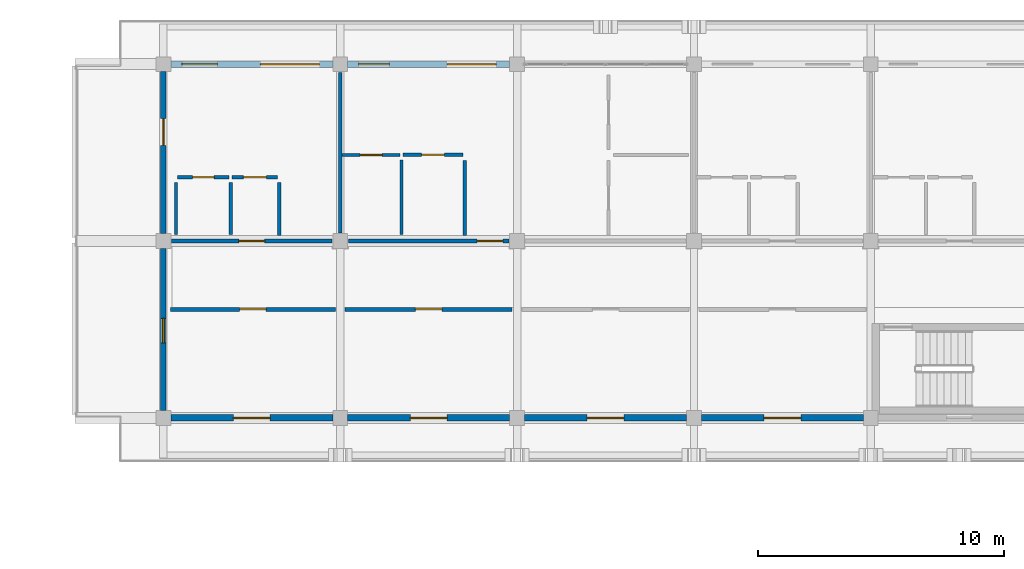
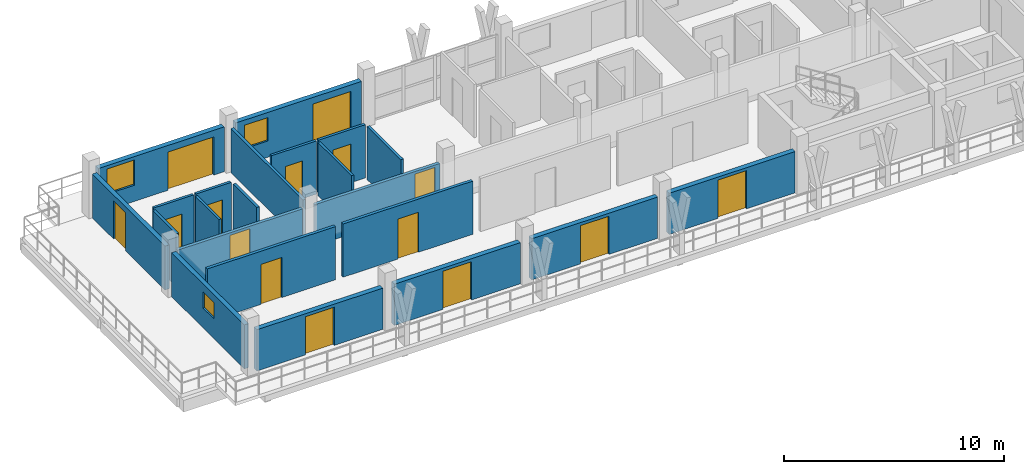
# One storey, part 38 of 65: 22 walls, 15 doors, 3 windows, 18 openings.
"""IFC4 building model written with IfcOpenShell, lengths in metres."""

import ifcopenshell
import ifcopenshell.guid

model = None  # the IFC model being written
_history = None  # IfcOwnerHistory: only IFC2X3 demands one
_inside = {}  # id of a spatial element -> (the spatial element, [elements in it])
_under = {}  # id of a project, library or spatial element -> (it, [spatial elements below it])
_declared = {}  # id of a project -> (the project, [libraries it declares])
_typed = {}  # id of a type object -> (the type object, [elements of that type])
_made_of = {}  # id of a material, layer set ... -> (it, [elements and type objects made of it])


def new_model(schema):
    """Start an empty IFC model of exactly this schema.

    Asked for "IFC4X3", IfcOpenShell would pick the latest addendum, in which some entities
    have other attributes; the version numbers below select the first issue.
    IFC2X3 requires an IfcOwnerHistory on every rooted entity: one is made here for all.
    """
    global model, _history
    if schema == "IFC4X3":
        model = ifcopenshell.file(schema_version=(4, 3, 0, 0))
    else:
        model = ifcopenshell.file(schema=schema)
    _inside.clear()
    _under.clear()
    _declared.clear()
    _typed.clear()
    _made_of.clear()
    _history = None
    if model.schema == "IFC2X3":
        org = make("IfcOrganization", Name="unknown")
        user = make(
            "IfcPersonAndOrganization",
            ThePerson=make("IfcPerson", FamilyName="unknown"),
            TheOrganization=org,
        )
        app = make(
            "IfcApplication",
            ApplicationDeveloper=org,
            Version="unknown",
            ApplicationFullName="unknown",
            ApplicationIdentifier="unknown",
        )
        _history = make(
            "IfcOwnerHistory",
            OwningUser=user,
            OwningApplication=app,
            ChangeAction="ADDED",
            CreationDate=0,
        )
    return model


def make(cls, **values):
    """One entity of the class cls with the attributes given. An attribute that is None is left unset."""
    return model.create_entity(
        cls, **{name: value for name, value in values.items() if value is not None}
    )


def rooted(cls, **values):
    """An entity with a GlobalId (a new one), such as an element, a storey or a relation."""
    return make(cls, GlobalId=ifcopenshell.guid.new(), OwnerHistory=_history, **values)


def si_unit(unit_type, name, prefix=None):
    """IfcSIUnit, for example si_unit("LENGTHUNIT", "METRE", prefix="MILLI")."""
    return make("IfcSIUnit", UnitType=unit_type, Prefix=prefix, Name=name)


def assignment(units):
    """IfcUnitAssignment: the units of a project."""
    return None if units is None else make("IfcUnitAssignment", Units=units)


def point(xyz):
    """IfcCartesianPoint."""
    return None if xyz is None else make("IfcCartesianPoint", Coordinates=xyz)


def direction(xyz):
    """IfcDirection."""
    return None if xyz is None else make("IfcDirection", DirectionRatios=xyz)


def frame(location, z_axis=None, x_axis=None):
    """IfcAxis2Placement3D, a coordinate frame: its origin and axes. An axis left out is left unset."""
    return make(
        "IfcAxis2Placement3D",
        Location=point(location),
        Axis=direction(z_axis),
        RefDirection=direction(x_axis),
    )


def frame_2d(location, x_axis=None):
    """IfcAxis2Placement2D, a coordinate frame in the plane: its origin and x axis."""
    return make(
        "IfcAxis2Placement2D", Location=point(location), RefDirection=direction(x_axis)
    )


def origin():
    """The frame at (0, 0, 0) with its axes left unset."""
    return frame((0.0, 0.0, 0.0))


def place(relative_to, where):
    """IfcLocalPlacement: puts the frame where relative to a parent placement (None: the world)."""
    return make(
        "IfcLocalPlacement", PlacementRelTo=relative_to, RelativePlacement=where
    )


def context(
    kind, dimensions, precision=None, world=None, true_north=None, identifier=None
):
    """IfcGeometricRepresentationContext, for example the 3D "Model" context."""
    return make(
        "IfcGeometricRepresentationContext",
        ContextIdentifier=identifier,
        ContextType=kind,
        CoordinateSpaceDimension=dimensions,
        Precision=precision,
        WorldCoordinateSystem=world,
        TrueNorth=true_north,
    )


def subcontext(parent, identifier, kind, view, scale=None):
    """IfcGeometricRepresentationSubContext, for example "Body" below "Model"."""
    return make(
        "IfcGeometricRepresentationSubContext",
        ContextIdentifier=identifier,
        ContextType=kind,
        ParentContext=parent,
        TargetScale=scale,
        TargetView=view,
    )


def project(units=None, contexts=None):
    """IfcProject with its units and contexts."""
    return rooted(
        "IfcProject",
        Name="project",
        RepresentationContexts=contexts,
        UnitsInContext=assignment(units),
    )


def spatial(cls, under=None, at=None, **own):
    """A site, building, storey or space (cls), placed at a placement, below another one or the project."""
    s = rooted(cls, ObjectPlacement=at, **own)
    if under is not None:
        _under.setdefault(under.id(), (under, []))[1].append(s)
    return s


def profile(cls, at=None, kind="AREA", **sizes):
    """A parametric profile (cls). Its sizes go by their IFC names, for example OverallWidth=200.0."""
    return make(cls, ProfileType=kind, Position=at, **sizes)


def rectangle(**sizes):
    """IfcRectangleProfileDef."""
    return profile("IfcRectangleProfileDef", **sizes)


def extrude(swept, where, along, depth):
    """IfcExtrudedAreaSolid: the profile swept, set in the frame where, extruded along a direction by depth."""
    return make(
        "IfcExtrudedAreaSolid",
        SweptArea=swept,
        Position=where,
        ExtrudedDirection=direction(along),
        Depth=depth,
    )


def shape(context_of_items, identifier, shape_type, items):
    """IfcShapeRepresentation: the items that make up one representation, for example the "Body"."""
    return make(
        "IfcShapeRepresentation",
        ContextOfItems=context_of_items,
        RepresentationIdentifier=identifier,
        RepresentationType=shape_type,
        Items=items,
    )


def material(Name=None, Category=None):
    """IfcMaterial."""
    return make("IfcMaterial", Name=Name, Category=Category)


def layer(
    of_material, thickness, ventilated=None, Name=None, Category=None, Priority=None
):
    """IfcMaterialLayer: one layer of a wall or slab, of a material (None: an air gap)."""
    return make(
        "IfcMaterialLayer",
        Material=of_material,
        LayerThickness=thickness,
        IsVentilated=ventilated,
        Name=Name,
        Category=Category,
        Priority=Priority,
    )


def layer_set(layers, Name=None):
    """IfcMaterialLayerSet."""
    return make("IfcMaterialLayerSet", MaterialLayers=layers, LayerSetName=Name)


def made_of(thing, what):
    """Note that an element or type object is made of a material, layer set ...; save() writes the relation."""
    if what is not None:
        _made_of.setdefault(what.id(), (what, []))[1].append(thing)
    return thing


def type_object(cls, material=None, **own):
    """A type object (cls), such as IfcWallType, which elements share."""
    return made_of(rooted(cls, **own), material)


def element(
    cls,
    number,
    at=None,
    inside=None,
    cuts=None,
    type_object=None,
    material=None,
    context=None,
    identifier="Body",
    shape_type=None,
    held_by="IfcProductDefinitionShape",
    body=None,
    shapes=None,
    **own,
):
    """One element of the class cls, such as IfcWall. Its Tag is "e" and its number.

    at: its placement. inside: the storey or other place that contains it. cuts: it is an
    opening in that element (IfcRelVoidsElement). A single representation is given by context,
    identifier, shape_type and body (its items); several are given by shapes. held_by: the class
    of the entity that holds the representations. save() writes the other relations.
    """
    e = rooted(cls, Tag="e%d" % number, ObjectPlacement=at, **own)
    if body is not None:
        shapes = [shape(context, identifier, shape_type, body)]
    if shapes is not None:
        e.Representation = make(held_by, Representations=shapes)
    if inside is not None:
        _inside.setdefault(inside.id(), (inside, []))[1].append(e)
    if cuts is not None:
        rooted(
            "IfcRelVoidsElement", RelatingBuildingElement=cuts, RelatedOpeningElement=e
        )
    if type_object is not None:
        _typed.setdefault(type_object.id(), (type_object, []))[1].append(e)
    return made_of(e, material)


def fill(opening, filler):
    """IfcRelFillsElement: the door or window that sits in an opening."""
    return rooted(
        "IfcRelFillsElement",
        RelatingOpeningElement=opening,
        RelatedBuildingElement=filler,
    )


def aggregate(whole, parts):
    """IfcRelAggregates: a whole, such as a stair, and the parts it consists of."""
    return rooted("IfcRelAggregates", RelatingObject=whole, RelatedObjects=parts)


def save(model, path):
    """Write the relations noted so far, then the file.

    IfcRelAggregates (storeys below a building ...), IfcRelContainedInSpatialStructure (elements
    in a storey), IfcRelDefinesByType, IfcRelAssociatesMaterial and IfcRelDeclares: one each for
    every whole, place, type object, material and project.
    """
    for whole, parts in _under.values():
        aggregate(whole, parts)
    for where, things in _inside.values():
        rooted(
            "IfcRelContainedInSpatialStructure",
            RelatedElements=things,
            RelatingStructure=where,
        )
    for kind, things in _typed.values():
        rooted("IfcRelDefinesByType", RelatedObjects=things, RelatingType=kind)
    for what, things in _made_of.values():
        rooted("IfcRelAssociatesMaterial", RelatedObjects=things, RelatingMaterial=what)
    for by, libraries in _declared.values():
        rooted("IfcRelDeclares", RelatingContext=by, RelatedDefinitions=libraries)
    model.write(path)


model = new_model("IFC4")

# Units and contexts
model_context = context("Model", 3, precision=1e-05, world=origin(), true_north=direction((0.0, 1.0)))
body_context = subcontext(model_context, "Body", "Model", "MODEL_VIEW")
ifc_project = project(units=[si_unit("LENGTHUNIT", "METRE"), si_unit("AREAUNIT", "SQUARE_METRE"), si_unit("VOLUMEUNIT", "CUBIC_METRE"), si_unit("PLANEANGLEUNIT", "RADIAN"), si_unit("MASSUNIT", "GRAM", prefix="KILO")], contexts=[model_context])

# Site, building, storey
site_placement = place(None, origin())
site = spatial("IfcSite", under=ifc_project, at=site_placement, CompositionType="ELEMENT")
building_placement = place(site_placement, origin())
building = spatial("IfcBuilding", under=site, at=building_placement, Name="Suanplinth Sawtooth Commons", CompositionType="ELEMENT")
storey_placement = place(building_placement, frame((0.0, 0.0, 28.300048828125)))
storey = spatial("IfcBuildingStorey", under=building, at=storey_placement, Name="L08", CompositionType="ELEMENT", Elevation=28.300048828125)

# Wall, openings, door, window
ifc_material_1 = material(Name="Precast concrete C40/50", Category="concrete")
ifc_layer_1 = layer(ifc_material_1, 0.260009765625, Name="Insulated precast courtyard facade wall 260mm")
ifc_layer_set_1 = layer_set([ifc_layer_1], Name="Precast concrete C40/50")
wall_type_1 = type_object("IfcWallType", Name="W-EX02", PredefinedType="ELEMENTEDWALL", material=ifc_layer_set_1)
wall_1_placement = place(storey_placement, frame((14.699951171875, 122.39990234375, 0.0), z_axis=(0.0, 0.0, 1.0), x_axis=(1.0, 0.0, 0.0)))
wall_1 = element("IfcWall", 1, at=wall_1_placement, inside=storey, type_object=wall_type_1, Name="Facade Wall W-L08-A-N-0", PredefinedType="ELEMENTEDWALL", context=body_context, shape_type="SweptSolid", body=[
    extrude(rectangle(XDim=6.60009765625, YDim=0.260009765625, at=frame_2d((3.300048828125, 0.0))), origin(), (0.0, 0.0, 1.0), 2.48486328125),
])
opening_1_placement = place(wall_1_placement, frame((3.64990234375, 0.0, 0.0)))
opening_1 = element("IfcOpeningElement", 2, at=opening_1_placement, cuts=wall_1, Name="Opening ED0623", PredefinedType="OPENING", context=body_context, shape_type="SweptSolid", body=[
    extrude(rectangle(XDim=2.39990234375, YDim=2.1201171875, at=frame_2d((1.199951171875, 1.06005859375))), frame((0.0, 0.14501953125, 0.0), z_axis=(0.0, -1.0, 0.0), x_axis=(1.0, 0.0, 0.0)), (0.0, 0.0, 1.0), 0.289794921875),
])
opening_2_placement = place(wall_1_placement, frame((0.449951171875, 0.0, 0.89990234375)))
opening_2 = element("IfcOpeningElement", 3, at=opening_2_placement, cuts=wall_1, Name="Opening W0706", PredefinedType="OPENING", context=body_context, shape_type="SweptSolid", body=[
    extrude(rectangle(XDim=1.449951171875, YDim=1.39990234375, at=frame_2d((0.72509765625, 0.699951171875))), frame((0.0, 0.14501953125, 0.0), z_axis=(0.0, -1.0, 0.0), x_axis=(1.0, 0.0, 0.0)), (0.0, 0.0, 1.0), 0.289794921875),
])
ifc_material_2 = material(Name="Anodized aluminium and low-E glass", Category="aluminium")
door_type_1 = type_object("IfcDoorType", Name="SD-04", OperationType="DOUBLE_DOOR_SLIDING", PredefinedType="DOOR", material=ifc_material_2)
door_1_placement = place(opening_1_placement, frame((2.39990234375, 0.0, 0.0), z_axis=(0.0, 0.0, 1.0), x_axis=(-1.0, 0.0, 0.0)))
door_1 = element("IfcDoor", 4, at=door_1_placement, inside=storey, type_object=door_type_1, Name="Balcony Sliding Door L08-A-N-0", OperationType="DOUBLE_DOOR_SLIDING", OverallHeight=2.1201171875, OverallWidth=2.39990234375, PredefinedType="DOOR", context=body_context, shape_type="SweptSolid", body=[
    extrude(rectangle(XDim=2.39990234375, YDim=2.1201171875, at=frame_2d((1.199951171875, 1.06005859375))), frame((0.0, 0.02490234375, 0.0), z_axis=(0.0, -1.0, 0.0), x_axis=(1.0, 0.0, 0.0)), (0.0, 0.0, 1.0), 0.050048828125),
])
fill(opening_1, door_1)
ifc_material_3 = material(Name="Thermally broken aluminium and low-E double glazing", Category="aluminium")
window_type_1 = type_object("IfcWindowType", Name="WN-16", PartitioningType="DOUBLE_PANEL_VERTICAL", PredefinedType="WINDOW", material=ifc_material_3)
window_1_placement = place(opening_2_placement, origin())
window_1 = element("IfcWindow", 5, at=window_1_placement, inside=storey, type_object=window_type_1, Name="Window L08-A-N-0", OverallHeight=1.39990234375, OverallWidth=1.449951171875, PartitioningType="DOUBLE_PANEL_VERTICAL", PredefinedType="WINDOW", context=body_context, shape_type="SweptSolid", body=[
    extrude(rectangle(XDim=1.449951171875, YDim=1.39990234375, at=frame_2d((0.72509765625, 0.699951171875))), frame((0.0, 0.030029296875, 0.0), z_axis=(0.0, -1.0, 0.0), x_axis=(1.0, 0.0, 0.0)), (0.0, 0.0, 1.0), 0.06005859375),
])
fill(opening_2, window_1)

# Wall, opening, door
wall_2_placement = place(storey_placement, frame((14.699951171875, 108.0, 0.0), z_axis=(0.0, 0.0, 1.0), x_axis=(1.0, 0.0, 0.0)))
wall_2 = element("IfcWall", 6, at=wall_2_placement, inside=storey, type_object=wall_type_1, Name="Courtyard Wall W-L08-A-S-0", PredefinedType="ELEMENTEDWALL", context=body_context, shape_type="SweptSolid", body=[
    extrude(rectangle(XDim=6.60009765625, YDim=0.260009765625, at=frame_2d((3.300048828125, 0.0))), origin(), (0.0, 0.0, 1.0), 2.284912109375),
])
opening_3_placement = place(wall_2_placement, frame((2.550048828125, 0.0, 0.0)))
opening_3 = element("IfcOpeningElement", 7, at=opening_3_placement, cuts=wall_2, Name="Opening ED0624", PredefinedType="OPENING", context=body_context, shape_type="SweptSolid", body=[
    extrude(rectangle(XDim=1.5, YDim=2.1201171875, at=frame_2d((0.75, 1.06005859375))), frame((0.0, 0.14501953125, 0.0), z_axis=(0.0, -1.0, 0.0), x_axis=(1.0, 0.0, 0.0)), (0.0, 0.0, 1.0), 0.289794921875),
])
door_type_2 = type_object("IfcDoorType", Name="SD-03", OperationType="SLIDING_TO_LEFT", PredefinedType="DOOR", material=ifc_material_2)
door_2_placement = place(opening_3_placement, frame((1.5, 0.0, 0.0), z_axis=(0.0, 0.0, 1.0), x_axis=(-1.0, 0.0, 0.0)))
door_2 = element("IfcDoor", 8, at=door_2_placement, inside=storey, type_object=door_type_2, Name="Courtyard Balcony Sliding Door L08-A-S-0", OperationType="SLIDING_TO_LEFT", OverallHeight=2.1201171875, OverallWidth=1.5, PredefinedType="DOOR", context=body_context, shape_type="SweptSolid", body=[
    extrude(rectangle(XDim=1.5, YDim=2.1201171875, at=frame_2d((0.75, 1.06005859375))), frame((0.0, 0.02490234375, 0.0), z_axis=(0.0, -1.0, 0.0), x_axis=(1.0, 0.0, 0.0)), (0.0, 0.0, 1.0), 0.050048828125),
])
fill(opening_3, door_2)

# Wall, openings, door, window
wall_3_placement = place(storey_placement, frame((21.89990234375, 122.39990234375, 0.0), z_axis=(0.0, 0.0, 1.0), x_axis=(1.0, 0.0, 0.0)))
wall_3 = element("IfcWall", 9, at=wall_3_placement, inside=storey, type_object=wall_type_1, Name="Facade Wall W-L08-A-N-1", PredefinedType="ELEMENTEDWALL", context=body_context, shape_type="SweptSolid", body=[
    extrude(rectangle(XDim=6.60009765625, YDim=0.260009765625, at=frame_2d((3.300048828125, 0.0))), origin(), (0.0, 0.0, 1.0), 2.48486328125),
])
opening_4_placement = place(wall_3_placement, frame((4.050048828125, 0.0, 0.0)))
opening_4 = element("IfcOpeningElement", 10, at=opening_4_placement, cuts=wall_3, Name="Opening ED0625", PredefinedType="OPENING", context=body_context, shape_type="SweptSolid", body=[
    extrude(rectangle(XDim=2.0, YDim=2.1201171875, at=frame_2d((1.0, 1.06005859375))), frame((0.0, 0.14501953125, 0.0), z_axis=(0.0, -1.0, 0.0), x_axis=(1.0, 0.0, 0.0)), (0.0, 0.0, 1.0), 0.289794921875),
])
opening_5_placement = place(wall_3_placement, frame((0.449951171875, 0.0, 0.89990234375)))
opening_5 = element("IfcOpeningElement", 11, at=opening_5_placement, cuts=wall_3, Name="Opening W0707", PredefinedType="OPENING", context=body_context, shape_type="SweptSolid", body=[
    extrude(rectangle(XDim=1.25, YDim=1.300048828125, at=frame_2d((0.625, 0.64990234375))), frame((0.0, 0.14501953125, 0.0), z_axis=(0.0, -1.0, 0.0), x_axis=(1.0, 0.0, 0.0)), (0.0, 0.0, 1.0), 0.289794921875),
])
door_type_3 = type_object("IfcDoorType", Name="SD-06", OperationType="DOUBLE_DOOR_SLIDING", PredefinedType="DOOR", material=ifc_material_2)
door_3_placement = place(opening_4_placement, frame((2.0, 0.0, 0.0), z_axis=(0.0, 0.0, 1.0), x_axis=(-1.0, 0.0, 0.0)))
door_3 = element("IfcDoor", 12, at=door_3_placement, inside=storey, type_object=door_type_3, Name="Balcony Sliding Door L08-A-N-1", OperationType="DOUBLE_DOOR_SLIDING", OverallHeight=2.1201171875, OverallWidth=2.0, PredefinedType="DOOR", context=body_context, shape_type="SweptSolid", body=[
    extrude(rectangle(XDim=2.0, YDim=2.1201171875, at=frame_2d((1.0, 1.06005859375))), frame((0.0, 0.02490234375, 0.0), z_axis=(0.0, -1.0, 0.0), x_axis=(1.0, 0.0, 0.0)), (0.0, 0.0, 1.0), 0.050048828125),
])
fill(opening_4, door_3)
window_type_2 = type_object("IfcWindowType", Name="WN-17", PartitioningType="SINGLE_PANEL", PredefinedType="WINDOW", material=ifc_material_3)
window_2_placement = place(opening_5_placement, origin())
window_2 = element("IfcWindow", 13, at=window_2_placement, inside=storey, type_object=window_type_2, Name="Window L08-A-N-1", OverallHeight=1.300048828125, OverallWidth=1.25, PartitioningType="SINGLE_PANEL", PredefinedType="WINDOW", context=body_context, shape_type="SweptSolid", body=[
    extrude(rectangle(XDim=1.25, YDim=1.300048828125, at=frame_2d((0.625, 0.64990234375))), frame((0.0, 0.030029296875, 0.0), z_axis=(0.0, -1.0, 0.0), x_axis=(1.0, 0.0, 0.0)), (0.0, 0.0, 1.0), 0.06005859375),
])
fill(opening_5, window_2)

# Wall, opening, door
wall_4_placement = place(storey_placement, frame((21.89990234375, 108.0, 0.0), z_axis=(0.0, 0.0, 1.0), x_axis=(1.0, 0.0, 0.0)))
wall_4 = element("IfcWall", 14, at=wall_4_placement, inside=storey, type_object=wall_type_1, Name="Courtyard Wall W-L08-A-S-1", PredefinedType="ELEMENTEDWALL", context=body_context, shape_type="SweptSolid", body=[
    extrude(rectangle(XDim=6.60009765625, YDim=0.260009765625, at=frame_2d((3.300048828125, 0.0))), origin(), (0.0, 0.0, 1.0), 2.284912109375),
])
opening_6_placement = place(wall_4_placement, frame((2.550048828125, 0.0, 0.0)))
opening_6 = element("IfcOpeningElement", 15, at=opening_6_placement, cuts=wall_4, Name="Opening ED0626", PredefinedType="OPENING", context=body_context, shape_type="SweptSolid", body=[
    extrude(rectangle(XDim=1.5, YDim=2.1201171875, at=frame_2d((0.75, 1.06005859375))), frame((0.0, 0.14501953125, 0.0), z_axis=(0.0, -1.0, 0.0), x_axis=(1.0, 0.0, 0.0)), (0.0, 0.0, 1.0), 0.289794921875),
])
door_4_placement = place(opening_6_placement, frame((1.5, 0.0, 0.0), z_axis=(0.0, 0.0, 1.0), x_axis=(-1.0, 0.0, 0.0)))
door_4 = element("IfcDoor", 16, at=door_4_placement, inside=storey, type_object=door_type_2, Name="Courtyard Balcony Sliding Door L08-A-S-1", OperationType="SLIDING_TO_LEFT", OverallHeight=2.1201171875, OverallWidth=1.5, PredefinedType="DOOR", context=body_context, shape_type="SweptSolid", body=[
    extrude(rectangle(XDim=1.5, YDim=2.1201171875, at=frame_2d((0.75, 1.06005859375))), frame((0.0, 0.02490234375, 0.0), z_axis=(0.0, -1.0, 0.0), x_axis=(1.0, 0.0, 0.0)), (0.0, 0.0, 1.0), 0.050048828125),
])
fill(opening_6, door_4)

wall_5_placement = place(storey_placement, frame((29.10009765625, 108.0, 0.0), z_axis=(0.0, 0.0, 1.0), x_axis=(1.0, 0.0, 0.0)))
wall_5 = element("IfcWall", 17, at=wall_5_placement, inside=storey, type_object=wall_type_1, Name="Courtyard Wall W-L08-A-S-2", PredefinedType="ELEMENTEDWALL", context=body_context, shape_type="SweptSolid", body=[
    extrude(rectangle(XDim=6.599853515625, YDim=0.260009765625, at=frame_2d((3.2998046875, 0.0))), origin(), (0.0, 0.0, 1.0), 2.284912109375),
])
opening_7_placement = place(wall_5_placement, frame((2.550048828125, 0.0, 0.0)))
opening_7 = element("IfcOpeningElement", 18, at=opening_7_placement, cuts=wall_5, Name="Opening ED0627", PredefinedType="OPENING", context=body_context, shape_type="SweptSolid", body=[
    extrude(rectangle(XDim=1.5, YDim=2.1201171875, at=frame_2d((0.75, 1.06005859375))), frame((0.0, 0.14501953125, 0.0), z_axis=(0.0, -1.0, 0.0), x_axis=(1.0, 0.0, 0.0)), (0.0, 0.0, 1.0), 0.289794921875),
])
door_5_placement = place(opening_7_placement, frame((1.5, 0.0, 0.0), z_axis=(0.0, 0.0, 1.0), x_axis=(-1.0, 0.0, 0.0)))
door_5 = element("IfcDoor", 19, at=door_5_placement, inside=storey, type_object=door_type_2, Name="Courtyard Balcony Sliding Door L08-A-S-2", OperationType="SLIDING_TO_LEFT", OverallHeight=2.1201171875, OverallWidth=1.5, PredefinedType="DOOR", context=body_context, shape_type="SweptSolid", body=[
    extrude(rectangle(XDim=1.5, YDim=2.1201171875, at=frame_2d((0.75, 1.06005859375))), frame((0.0, 0.02490234375, 0.0), z_axis=(0.0, -1.0, 0.0), x_axis=(1.0, 0.0, 0.0)), (0.0, 0.0, 1.0), 0.050048828125),
])
fill(opening_7, door_5)

wall_6_placement = place(storey_placement, frame((36.300048828125, 108.0, 0.0), z_axis=(0.0, 0.0, 1.0), x_axis=(1.0, 0.0, 0.0)))
wall_6 = element("IfcWall", 20, at=wall_6_placement, inside=storey, type_object=wall_type_1, Name="Courtyard Wall W-L08-A-S-3", PredefinedType="ELEMENTEDWALL", context=body_context, shape_type="SweptSolid", body=[
    extrude(rectangle(XDim=6.599853515625, YDim=0.260009765625, at=frame_2d((3.2998046875, 0.0))), origin(), (0.0, 0.0, 1.0), 2.284912109375),
])
opening_8_placement = place(wall_6_placement, frame((2.550048828125, 0.0, 0.0)))
opening_8 = element("IfcOpeningElement", 21, at=opening_8_placement, cuts=wall_6, Name="Opening ED0629", PredefinedType="OPENING", context=body_context, shape_type="SweptSolid", body=[
    extrude(rectangle(XDim=1.5, YDim=2.1201171875, at=frame_2d((0.75, 1.06005859375))), frame((0.0, 0.14501953125, 0.0), z_axis=(0.0, -1.0, 0.0), x_axis=(1.0, 0.0, 0.0)), (0.0, 0.0, 1.0), 0.289794921875),
])
door_6_placement = place(opening_8_placement, frame((1.5, 0.0, 0.0), z_axis=(0.0, 0.0, 1.0), x_axis=(-1.0, 0.0, 0.0)))
door_6 = element("IfcDoor", 22, at=door_6_placement, inside=storey, type_object=door_type_2, Name="Courtyard Balcony Sliding Door L08-A-S-3", OperationType="SLIDING_TO_LEFT", OverallHeight=2.1201171875, OverallWidth=1.5, PredefinedType="DOOR", context=body_context, shape_type="SweptSolid", body=[
    extrude(rectangle(XDim=1.5, YDim=2.1201171875, at=frame_2d((0.75, 1.06005859375))), frame((0.0, 0.02490234375, 0.0), z_axis=(0.0, -1.0, 0.0), x_axis=(1.0, 0.0, 0.0)), (0.0, 0.0, 1.0), 0.050048828125),
])
fill(opening_8, door_6)

# Wall, opening, window
ifc_layer_2 = layer(ifc_material_1, 0.22998046875, Name="Stepped terrace insulated precast wall 230mm")
ifc_layer_set_2 = layer_set([ifc_layer_2], Name="Precast concrete C40/50")
wall_type_2 = type_object("IfcWallType", Name="W-EX06", PredefinedType="ELEMENTEDWALL", material=ifc_layer_set_2)
wall_7_placement = place(storey_placement, frame((14.39990234375, 108.300048828125, 0.0), z_axis=(0.0, 0.0, 1.0), x_axis=(0.0, 1.0, 0.0)))
wall_7 = element("IfcWall", 23, at=wall_7_placement, inside=storey, type_object=wall_type_2, Name="End Wall W-L08-A-W-15", PredefinedType="ELEMENTEDWALL", context=body_context, shape_type="SweptSolid", body=[
    extrude(rectangle(XDim=6.599853515625, YDim=0.22998046875, at=frame_2d((3.2998046875, 0.0))), origin(), (0.0, 0.0, 1.0), 2.43505859375),
])
opening_9_placement = place(wall_7_placement, frame((2.75, 0.0, 1.10009765625)))
opening_9 = element("IfcOpeningElement", 24, at=opening_9_placement, cuts=wall_7, Name="Opening W0719", PredefinedType="OPENING", context=body_context, shape_type="SweptSolid", body=[
    extrude(rectangle(XDim=1.0, YDim=0.89990234375, at=frame_2d((0.5, 0.449951171875))), frame((0.0, 0.1298828125, 0.0), z_axis=(0.0, -1.0, 0.0), x_axis=(1.0, 0.0, 0.0)), (0.0, 0.0, 1.0), 0.259765625),
])
window_type_3 = type_object("IfcWindowType", Name="WN-12", PartitioningType="SINGLE_PANEL", PredefinedType="WINDOW", material=ifc_material_3)
window_3_placement = place(opening_9_placement, origin())
window_3 = element("IfcWindow", 25, at=window_3_placement, inside=storey, type_object=window_type_3, Name="End Window L08-A-W-15", OverallHeight=0.89990234375, OverallWidth=1.0, PartitioningType="SINGLE_PANEL", PredefinedType="WINDOW", context=body_context, shape_type="SweptSolid", body=[
    extrude(rectangle(XDim=1.0, YDim=0.89990234375, at=frame_2d((0.5, 0.449951171875))), frame((0.0, 0.030029296875, 0.0), z_axis=(0.0, -1.0, 0.0), x_axis=(1.0, 0.0, 0.0)), (0.0, 0.0, 1.0), 0.06005859375),
])
fill(opening_9, window_3)

# Wall, opening, door
wall_8_placement = place(storey_placement, frame((14.39990234375, 115.5, 0.0), z_axis=(0.0, 0.0, 1.0), x_axis=(0.0, 1.0, 0.0)))
wall_8 = element("IfcWall", 26, at=wall_8_placement, inside=storey, type_object=wall_type_2, Name="End Wall W-L08-A-W-16", PredefinedType="ELEMENTEDWALL", context=body_context, shape_type="SweptSolid", body=[
    extrude(rectangle(XDim=6.60009765625, YDim=0.22998046875, at=frame_2d((3.300048828125, 0.0))), origin(), (0.0, 0.0, 1.0), 2.43505859375),
])
opening_10_placement = place(wall_8_placement, frame((3.60009765625, 0.0, 0.0)))
opening_10 = element("IfcOpeningElement", 27, at=opening_10_placement, cuts=wall_8, Name="Opening ED0640", PredefinedType="OPENING", context=body_context, shape_type="SweptSolid", body=[
    extrude(rectangle(XDim=1.080078125, YDim=2.1201171875, at=frame_2d((0.5400390625, 1.06005859375))), frame((0.0, 0.1298828125, 0.0), z_axis=(0.0, -1.0, 0.0), x_axis=(1.0, 0.0, 0.0)), (0.0, 0.0, 1.0), 0.259765625),
])
door_type_4 = type_object("IfcDoorType", Name="ED-10", OperationType="NOTDEFINED", PredefinedType="DOOR", material=ifc_material_2)
door_7_placement = place(opening_10_placement, frame((1.080078125, 0.0, 0.0), z_axis=(0.0, 0.0, 1.0), x_axis=(-1.0, 0.0, 0.0)))
door_7 = element("IfcDoor", 28, at=door_7_placement, inside=storey, type_object=door_type_4, Name="L08 Block A W Stepped Terrace Door", OperationType="SINGLE_SWING_RIGHT", OverallHeight=2.1201171875, OverallWidth=1.080078125, PredefinedType="DOOR", context=body_context, shape_type="SweptSolid", body=[
    extrude(rectangle(XDim=1.080078125, YDim=2.1201171875, at=frame_2d((0.5400390625, 1.06005859375))), frame((0.0, 0.02490234375, 0.0), z_axis=(0.0, -1.0, 0.0), x_axis=(1.0, 0.0, 0.0)), (0.0, 0.0, 1.0), 0.050048828125),
])
fill(opening_10, door_7)

ifc_layer_3 = layer(ifc_material_1, 0.159912109375, Name="Fire-rated corridor and lobby wall 160mm")
ifc_layer_set_3 = layer_set([ifc_layer_3], Name="Precast concrete C40/50")
wall_type_3 = type_object("IfcWallType", Name="W-FW01", PredefinedType="PARTITIONING", material=ifc_layer_set_3)
wall_9_placement = place(storey_placement, frame((14.72998046875, 115.199951171875, 0.0), z_axis=(0.0, 0.0, 1.0), x_axis=(1.0, 0.0, 0.0)))
wall_9 = element("IfcWall", 29, at=wall_9_placement, inside=storey, type_object=wall_type_3, Name="W-A-L08-U01-COR", PredefinedType="PARTITIONING", context=body_context, shape_type="SweptSolid", body=[
    extrude(rectangle(XDim=6.5400390625, YDim=0.159912109375, at=frame_2d((3.27001953125, 0.0))), origin(), (0.0, 0.0, 1.0), 2.284912109375),
])
opening_11_placement = place(wall_9_placement, frame((2.7451171875, 0.0, 0.0)))
opening_11 = element("IfcOpeningElement", 30, at=opening_11_placement, cuts=wall_9, Name="Opening FD1628", PredefinedType="OPENING", context=body_context, shape_type="SweptSolid", body=[
    extrude(rectangle(XDim=1.050048828125, YDim=2.14990234375, at=frame_2d((0.52490234375, 1.074951171875))), frame((0.0, 0.0947265625, 0.0), z_axis=(0.0, -1.0, 0.0), x_axis=(1.0, 0.0, 0.0)), (0.0, 0.0, 1.0), 0.189697265625),
])
ifc_material_4 = material(Name="Teak hardwood fire-rated door assembly", Category="wood")
door_type_5 = type_object("IfcDoorType", Name="FD-04", OperationType="NOTDEFINED", PredefinedType="DOOR", material=ifc_material_4)
door_8_placement = place(opening_11_placement, origin())
door_8 = element("IfcDoor", 31, at=door_8_placement, inside=storey, type_object=door_type_5, Name="Unit Entrance Door FD1628", OperationType="SINGLE_SWING_RIGHT", OverallHeight=2.14990234375, OverallWidth=1.050048828125, PredefinedType="DOOR", context=body_context, shape_type="SweptSolid", body=[
    extrude(rectangle(XDim=1.050048828125, YDim=2.14990234375, at=frame_2d((0.52490234375, 1.074951171875))), frame((0.0, 0.02490234375, 0.0), z_axis=(0.0, -1.0, 0.0), x_axis=(1.0, 0.0, 0.0)), (0.0, 0.0, 1.0), 0.050048828125),
])
fill(opening_11, door_8)

wall_10_placement = place(storey_placement, frame((21.929931640625, 115.199951171875, 0.0), z_axis=(0.0, 0.0, 1.0), x_axis=(1.0, 0.0, 0.0)))
wall_10 = element("IfcWall", 32, at=wall_10_placement, inside=storey, type_object=wall_type_3, Name="W-A-L08-U02-COR-S1", PredefinedType="PARTITIONING", context=body_context, shape_type="SweptSolid", body=[
    extrude(rectangle(XDim=6.5400390625, YDim=0.159912109375, at=frame_2d((3.27001953125, 0.0))), origin(), (0.0, 0.0, 1.0), 2.284912109375),
])
opening_12_placement = place(wall_10_placement, frame((5.2451171875, 0.0, 0.0)))
opening_12 = element("IfcOpeningElement", 33, at=opening_12_placement, cuts=wall_10, Name="Opening FD1631", PredefinedType="OPENING", context=body_context, shape_type="SweptSolid", body=[
    extrude(rectangle(XDim=1.050048828125, YDim=2.14990234375, at=frame_2d((0.52490234375, 1.074951171875))), frame((0.0, 0.0947265625, 0.0), z_axis=(0.0, -1.0, 0.0), x_axis=(1.0, 0.0, 0.0)), (0.0, 0.0, 1.0), 0.189697265625),
])
door_9_placement = place(opening_12_placement, origin())
door_9 = element("IfcDoor", 34, at=door_9_placement, inside=storey, type_object=door_type_5, Name="Unit Entrance Door FD1631", OperationType="SINGLE_SWING_LEFT", OverallHeight=2.14990234375, OverallWidth=1.050048828125, PredefinedType="DOOR", context=body_context, shape_type="SweptSolid", body=[
    extrude(rectangle(XDim=1.050048828125, YDim=2.14990234375, at=frame_2d((0.52490234375, 1.074951171875))), frame((0.0, 0.02490234375, 0.0), z_axis=(0.0, -1.0, 0.0), x_axis=(1.0, 0.0, 0.0)), (0.0, 0.0, 1.0), 0.050048828125),
])
fill(opening_12, door_9)

wall_11_placement = place(storey_placement, frame((14.679931640625, 112.419921875, 0.0), z_axis=(0.0, 0.0, 1.0), x_axis=(1.0, 0.0, 0.0)))
wall_11 = element("IfcWall", 35, at=wall_11_placement, inside=storey, type_object=wall_type_3, Name="W-A-L08-COURTROOM-9-COR", PredefinedType="PARTITIONING", context=body_context, shape_type="SweptSolid", body=[
    extrude(rectangle(XDim=6.719970703125, YDim=0.159912109375, at=frame_2d((3.35986328125, 0.0))), origin(), (0.0, 0.0, 1.0), 2.949951171875),
])
opening_13_placement = place(wall_11_placement, frame((2.820068359375, 0.0, 0.0)))
opening_13 = element("IfcOpeningElement", 36, at=opening_13_placement, cuts=wall_11, Name="Opening D1661", PredefinedType="OPENING", context=body_context, shape_type="SweptSolid", body=[
    extrude(rectangle(XDim=1.080078125, YDim=2.219970703125, at=frame_2d((0.5400390625, 1.10986328125))), frame((0.0, 0.0947265625, 0.0), z_axis=(0.0, -1.0, 0.0), x_axis=(1.0, 0.0, 0.0)), (0.0, 0.0, 1.0), 0.189697265625),
])
ifc_material_5 = material(Name="Teak hardwood", Category="wood")
door_type_6 = type_object("IfcDoorType", Name="D-17", OperationType="NOTDEFINED", PredefinedType="DOOR", material=ifc_material_5)
door_10_placement = place(opening_13_placement, frame((1.080078125, 0.0, 0.0), z_axis=(0.0, 0.0, 1.0), x_axis=(-1.0, 0.0, 0.0)))
door_10 = element("IfcDoor", 37, at=door_10_placement, inside=storey, type_object=door_type_6, Name="Study Studio Door D1661", OperationType="SINGLE_SWING_LEFT", OverallHeight=2.219970703125, OverallWidth=1.080078125, PredefinedType="DOOR", context=body_context, shape_type="SweptSolid", body=[
    extrude(rectangle(XDim=1.080078125, YDim=2.219970703125, at=frame_2d((0.5400390625, 1.10986328125))), frame((0.0, 0.02490234375, 0.0), z_axis=(0.0, -1.0, 0.0), x_axis=(1.0, 0.0, 0.0)), (0.0, 0.0, 1.0), 0.050048828125),
])
fill(opening_13, door_10)

wall_12_placement = place(storey_placement, frame((21.800048828125, 112.419921875, 0.0), z_axis=(0.0, 0.0, 1.0), x_axis=(1.0, 0.0, 0.0)))
wall_12 = element("IfcWall", 38, at=wall_12_placement, inside=storey, type_object=wall_type_3, Name="W-A-L08-COURTROOM-10-COR", PredefinedType="PARTITIONING", context=body_context, shape_type="SweptSolid", body=[
    extrude(rectangle(XDim=6.800048828125, YDim=0.159912109375, at=frame_2d((3.39990234375, 0.0))), origin(), (0.0, 0.0, 1.0), 2.949951171875),
])
opening_14_placement = place(wall_12_placement, frame((2.860107421875, 0.0, 0.0)))
opening_14 = element("IfcOpeningElement", 39, at=opening_14_placement, cuts=wall_12, Name="Opening D1662", PredefinedType="OPENING", context=body_context, shape_type="SweptSolid", body=[
    extrude(rectangle(XDim=1.080078125, YDim=2.219970703125, at=frame_2d((0.5400390625, 1.10986328125))), frame((0.0, 0.0947265625, 0.0), z_axis=(0.0, -1.0, 0.0), x_axis=(1.0, 0.0, 0.0)), (0.0, 0.0, 1.0), 0.189697265625),
])
door_11_placement = place(opening_14_placement, frame((1.080078125, 0.0, 0.0), z_axis=(0.0, 0.0, 1.0), x_axis=(-1.0, 0.0, 0.0)))
door_11 = element("IfcDoor", 40, at=door_11_placement, inside=storey, type_object=door_type_6, Name="Study Studio Door D1662", OperationType="SINGLE_SWING_RIGHT", OverallHeight=2.219970703125, OverallWidth=1.080078125, PredefinedType="DOOR", context=body_context, shape_type="SweptSolid", body=[
    extrude(rectangle(XDim=1.080078125, YDim=2.219970703125, at=frame_2d((0.5400390625, 1.10986328125))), frame((0.0, 0.02490234375, 0.0), z_axis=(0.0, -1.0, 0.0), x_axis=(1.0, 0.0, 0.0)), (0.0, 0.0, 1.0), 0.050048828125),
])
fill(opening_14, door_11)

# Wall
ifc_layer_4 = layer(ifc_material_1, 0.14990234375, Name="Acoustic precast party demising wall 150mm")
ifc_layer_set_4 = layer_set([ifc_layer_4], Name="Precast concrete C40/50")
wall_type_4 = type_object("IfcWallType", Name="W-FW02", PredefinedType="PARTITIONING", material=ifc_layer_set_4)
wall_13_placement = place(storey_placement, frame((21.60009765625, 115.530029296875, 0.0), z_axis=(0.0, 0.0, 1.0), x_axis=(0.0, 1.0, 0.0)))
element("IfcWall", 41, at=wall_13_placement, inside=storey, type_object=wall_type_4, Name="W-A-L08-U01-PTY", PredefinedType="PARTITIONING", context=body_context, shape_type="SweptSolid", body=[
    extrude(rectangle(XDim=6.5400390625, YDim=0.14990234375, at=frame_2d((3.27001953125, 0.0))), origin(), (0.0, 0.0, 1.0), 2.43505859375),
])

# Wall, opening, door
ifc_material_6 = material(Name="Gypsum plasterboard on steel stud", Category="steel")
ifc_layer_5 = layer(ifc_material_6, 0.139892578125, Name="Fire-rated kitchen partition 140mm")
ifc_layer_set_5 = layer_set([ifc_layer_5], Name="Gypsum plasterboard on steel stud")
wall_type_5 = type_object("IfcWallType", Name="W-PT01", PredefinedType="PARTITIONING", material=ifc_layer_set_5)
wall_14_placement = place(storey_placement, frame((17.199951171875, 117.800048828125, 0.0), z_axis=(0.0, 0.0, 1.0), x_axis=(1.0, 0.0, 0.0)))
wall_14 = element("IfcWall", 42, at=wall_14_placement, inside=storey, type_object=wall_type_5, Name="W-A-L08-U01-KIT1", PredefinedType="PARTITIONING", context=body_context, shape_type="SweptSolid", body=[
    extrude(rectangle(XDim=1.85009765625, YDim=0.139892578125, at=frame_2d((0.925048828125, 0.0))), origin(), (0.0, 0.0, 1.0), 2.949951171875),
])
opening_15_placement = place(wall_14_placement, frame((0.4599609375, 0.0, 0.0)))
opening_15 = element("IfcOpeningElement", 43, at=opening_15_placement, cuts=wall_14, Name="Opening D1630", PredefinedType="OPENING", context=body_context, shape_type="SweptSolid", body=[
    extrude(rectangle(XDim=0.929931640625, YDim=2.139892578125, at=frame_2d((0.46484375, 1.06982421875))), frame((0.0, 0.0849609375, 0.0), z_axis=(0.0, -1.0, 0.0), x_axis=(1.0, 0.0, 0.0)), (0.0, 0.0, 1.0), 0.169677734375),
])
door_type_7 = type_object("IfcDoorType", Name="D-19", OperationType="NOTDEFINED", PredefinedType="DOOR", material=ifc_material_5)
door_12_placement = place(opening_15_placement, frame((0.929931640625, 0.0, 0.0), z_axis=(0.0, 0.0, 1.0), x_axis=(-1.0, 0.0, 0.0)))
door_12 = element("IfcDoor", 44, at=door_12_placement, inside=storey, type_object=door_type_7, Name="Kitchen Door D1630", OperationType="SINGLE_SWING_RIGHT", OverallHeight=2.139892578125, OverallWidth=0.929931640625, PredefinedType="DOOR", context=body_context, shape_type="SweptSolid", body=[
    extrude(rectangle(XDim=0.929931640625, YDim=2.139892578125, at=frame_2d((0.46484375, 1.06982421875))), frame((0.0, 0.02490234375, 0.0), z_axis=(0.0, -1.0, 0.0), x_axis=(1.0, 0.0, 0.0)), (0.0, 0.0, 1.0), 0.050048828125),
])
fill(opening_15, door_12)

# Wall
wall_15_placement = place(storey_placement, frame((19.1201171875, 115.429931640625, 0.0), z_axis=(0.0, 0.0, 1.0), x_axis=(0.0, 1.0, 0.0)))
element("IfcWall", 45, at=wall_15_placement, inside=storey, type_object=wall_type_5, Name="W-A-L08-U01-KIT2", PredefinedType="PARTITIONING", context=body_context, shape_type="SweptSolid", body=[
    extrude(rectangle(XDim=2.150146484375, YDim=0.139892578125, at=frame_2d((1.0751953125, 0.0))), origin(), (0.0, 0.0, 1.0), 2.949951171875),
])

# Wall, opening, door
wall_16_placement = place(storey_placement, frame((24.14990234375, 118.7099609375, 0.0), z_axis=(0.0, 0.0, 1.0), x_axis=(1.0, 0.0, 0.0)))
wall_16 = element("IfcWall", 46, at=wall_16_placement, inside=storey, type_object=wall_type_5, Name="W-A-L08-U02-KIT1", PredefinedType="PARTITIONING", context=body_context, shape_type="SweptSolid", body=[
    extrude(rectangle(XDim=2.4501953125, YDim=0.139892578125, at=frame_2d((1.22509765625, 0.0))), origin(), (0.0, 0.0, 1.0), 2.949951171875),
])
opening_16_placement = place(wall_16_placement, frame((0.760009765625, 0.0, 0.0)))
opening_16 = element("IfcOpeningElement", 47, at=opening_16_placement, cuts=wall_16, Name="Opening D1633", PredefinedType="OPENING", context=body_context, shape_type="SweptSolid", body=[
    extrude(rectangle(XDim=0.929931640625, YDim=2.139892578125, at=frame_2d((0.46484375, 1.06982421875))), frame((0.0, 0.0849609375, 0.0), z_axis=(0.0, -1.0, 0.0), x_axis=(1.0, 0.0, 0.0)), (0.0, 0.0, 1.0), 0.169677734375),
])
door_13_placement = place(opening_16_placement, frame((0.929931640625, 0.0, 0.0), z_axis=(0.0, 0.0, 1.0), x_axis=(-1.0, 0.0, 0.0)))
door_13 = element("IfcDoor", 48, at=door_13_placement, inside=storey, type_object=door_type_7, Name="Kitchen Door D1633", OperationType="SINGLE_SWING_LEFT", OverallHeight=2.139892578125, OverallWidth=0.929931640625, PredefinedType="DOOR", context=body_context, shape_type="SweptSolid", body=[
    extrude(rectangle(XDim=0.929931640625, YDim=2.139892578125, at=frame_2d((0.46484375, 1.06982421875))), frame((0.0, 0.02490234375, 0.0), z_axis=(0.0, -1.0, 0.0), x_axis=(1.0, 0.0, 0.0)), (0.0, 0.0, 1.0), 0.050048828125),
])
fill(opening_16, door_13)

# Wall
wall_17_placement = place(storey_placement, frame((26.669921875, 115.429931640625, 0.0), z_axis=(0.0, 0.0, 1.0), x_axis=(0.0, 1.0, 0.0)))
element("IfcWall", 49, at=wall_17_placement, inside=storey, type_object=wall_type_5, Name="W-A-L08-U02-KIT2", PredefinedType="PARTITIONING", context=body_context, shape_type="SweptSolid", body=[
    extrude(rectangle(XDim=3.06005859375, YDim=0.139892578125, at=frame_2d((1.530029296875, 0.0))), origin(), (0.0, 0.0, 1.0), 2.949951171875),
])

# Wall, opening, door
ifc_layer_6 = layer(ifc_material_6, 0.1298828125, Name="Moisture-resistant bathroom partition 130mm")
ifc_layer_set_6 = layer_set([ifc_layer_6], Name="Gypsum plasterboard on steel stud")
wall_type_6 = type_object("IfcWallType", Name="W-PT02", PredefinedType="PARTITIONING", material=ifc_layer_set_6)
wall_18_placement = place(storey_placement, frame((14.97998046875, 117.794921875, 0.0), z_axis=(0.0, 0.0, 1.0), x_axis=(1.0, 0.0, 0.0)))
wall_18 = element("IfcWall", 50, at=wall_18_placement, inside=storey, type_object=wall_type_6, Name="W-A-L08-U01-BTH1", PredefinedType="PARTITIONING", context=body_context, shape_type="SweptSolid", body=[
    extrude(rectangle(XDim=2.10009765625, YDim=0.1298828125, at=frame_2d((1.050048828125, 0.0))), origin(), (0.0, 0.0, 1.0), 2.949951171875),
])
opening_17_placement = place(wall_18_placement, frame((0.610107421875, 0.0, 0.0)))
opening_17 = element("IfcOpeningElement", 51, at=opening_17_placement, cuts=wall_18, Name="Opening D1629", PredefinedType="OPENING", context=body_context, shape_type="SweptSolid", body=[
    extrude(rectangle(XDim=0.8798828125, YDim=2.10009765625, at=frame_2d((0.43994140625, 1.050048828125))), frame((0.0, 0.079833984375, 0.0), z_axis=(0.0, -1.0, 0.0), x_axis=(1.0, 0.0, 0.0)), (0.0, 0.0, 1.0), 0.15966796875),
])
door_type_8 = type_object("IfcDoorType", Name="D-14", OperationType="NOTDEFINED", PredefinedType="DOOR", material=ifc_material_5)
door_14_placement = place(opening_17_placement, frame((0.8798828125, 0.0, 0.0), z_axis=(0.0, 0.0, 1.0), x_axis=(-1.0, 0.0, 0.0)))
door_14 = element("IfcDoor", 52, at=door_14_placement, inside=storey, type_object=door_type_8, Name="Bathroom Door D1629", OperationType="SINGLE_SWING_LEFT", OverallHeight=2.10009765625, OverallWidth=0.8798828125, PredefinedType="DOOR", context=body_context, shape_type="SweptSolid", body=[
    extrude(rectangle(XDim=0.8798828125, YDim=2.10009765625, at=frame_2d((0.43994140625, 1.050048828125))), frame((0.0, 0.02490234375, 0.0), z_axis=(0.0, -1.0, 0.0), x_axis=(1.0, 0.0, 0.0)), (0.0, 0.0, 1.0), 0.050048828125),
])
fill(opening_17, door_14)

# Walls
for number, where, z_axis, x_axis, name in (
    (53, (17.14501953125, 115.4599609375, 0.0), (0.0, 0.0, 1.0), (0.0, 1.0, 0.0), "W-A-L08-U01-BTH2"),
    (54, (14.9150390625, 115.4599609375, 0.0), (0.0, 0.0, 1.0), (0.0, 1.0, 0.0), "W-A-L08-U01-BTH3"),
):
    element("IfcWall", number, at=place(storey_placement, frame(where, z_axis=z_axis, x_axis=x_axis)), inside=storey, type_object=wall_type_6, Name=name, PredefinedType="PARTITIONING", context=body_context, shape_type="SweptSolid", body=[
        extrude(rectangle(XDim=2.130126953125, YDim=0.1298828125, at=frame_2d((1.06494140625, 0.0))), origin(), (0.0, 0.0, 1.0), 2.949951171875),
    ])

# Wall, opening, door
wall_19_placement = place(storey_placement, frame((21.679931640625, 118.705078125, 0.0), z_axis=(0.0, 0.0, 1.0), x_axis=(1.0, 0.0, 0.0)))
wall_19 = element("IfcWall", 55, at=wall_19_placement, inside=storey, type_object=wall_type_6, Name="W-A-L08-U02-BTH1", PredefinedType="PARTITIONING", context=body_context, shape_type="SweptSolid", body=[
    extrude(rectangle(XDim=2.35009765625, YDim=0.1298828125, at=frame_2d((1.175048828125, 0.0))), origin(), (0.0, 0.0, 1.0), 2.949951171875),
])
opening_18_placement = place(wall_19_placement, frame((0.72509765625, 0.0, 0.0)))
opening_18 = element("IfcOpeningElement", 56, at=opening_18_placement, cuts=wall_19, Name="Opening D1632", PredefinedType="OPENING", context=body_context, shape_type="SweptSolid", body=[
    extrude(rectangle(XDim=0.89990234375, YDim=2.10009765625, at=frame_2d((0.449951171875, 1.050048828125))), frame((0.0, 0.079833984375, 0.0), z_axis=(0.0, -1.0, 0.0), x_axis=(1.0, 0.0, 0.0)), (0.0, 0.0, 1.0), 0.15966796875),
])
door_type_9 = type_object("IfcDoorType", Name="D-01", OperationType="NOTDEFINED", PredefinedType="DOOR", material=ifc_material_5)
door_15_placement = place(opening_18_placement, frame((0.89990234375, 0.0, 0.0), z_axis=(0.0, 0.0, 1.0), x_axis=(-1.0, 0.0, 0.0)))
door_15 = element("IfcDoor", 57, at=door_15_placement, inside=storey, type_object=door_type_9, Name="Bathroom Door D1632", OperationType="SINGLE_SWING_RIGHT", OverallHeight=2.10009765625, OverallWidth=0.89990234375, PredefinedType="DOOR", context=body_context, shape_type="SweptSolid", body=[
    extrude(rectangle(XDim=0.89990234375, YDim=2.10009765625, at=frame_2d((0.449951171875, 1.050048828125))), frame((0.0, 0.02490234375, 0.0), z_axis=(0.0, -1.0, 0.0), x_axis=(1.0, 0.0, 0.0)), (0.0, 0.0, 1.0), 0.050048828125),
])
fill(opening_18, door_15)

# Wall
wall_20_placement = place(storey_placement, frame((24.094970703125, 115.4599609375, 0.0), z_axis=(0.0, 0.0, 1.0), x_axis=(0.0, 1.0, 0.0)))
element("IfcWall", 58, at=wall_20_placement, inside=storey, type_object=wall_type_6, Name="W-A-L08-U02-BTH2", PredefinedType="PARTITIONING", context=body_context, shape_type="SweptSolid", body=[
    extrude(rectangle(XDim=3.0400390625, YDim=0.1298828125, at=frame_2d((1.52001953125, 0.0))), origin(), (0.0, 0.0, 1.0), 2.949951171875),
])

save(model, "model.ifc")
